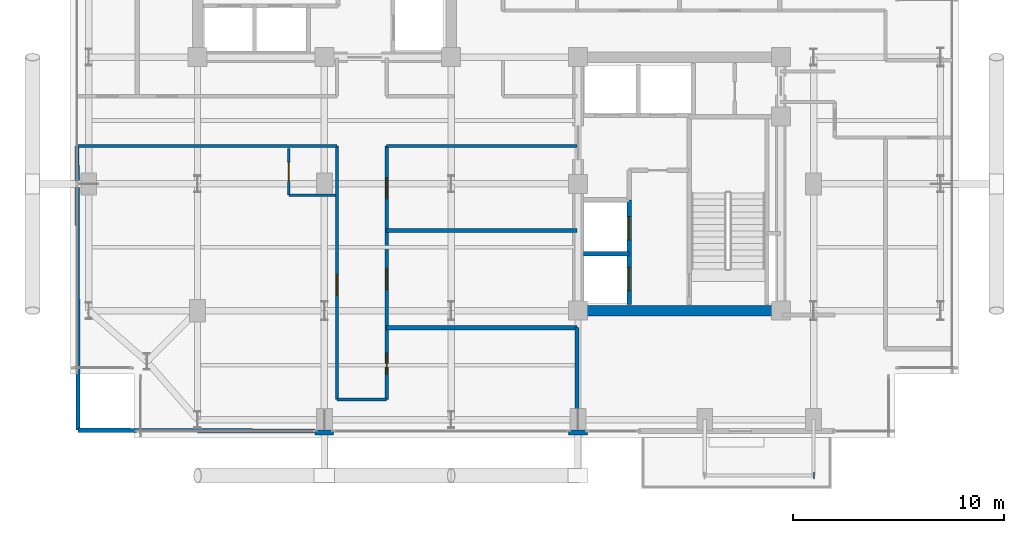
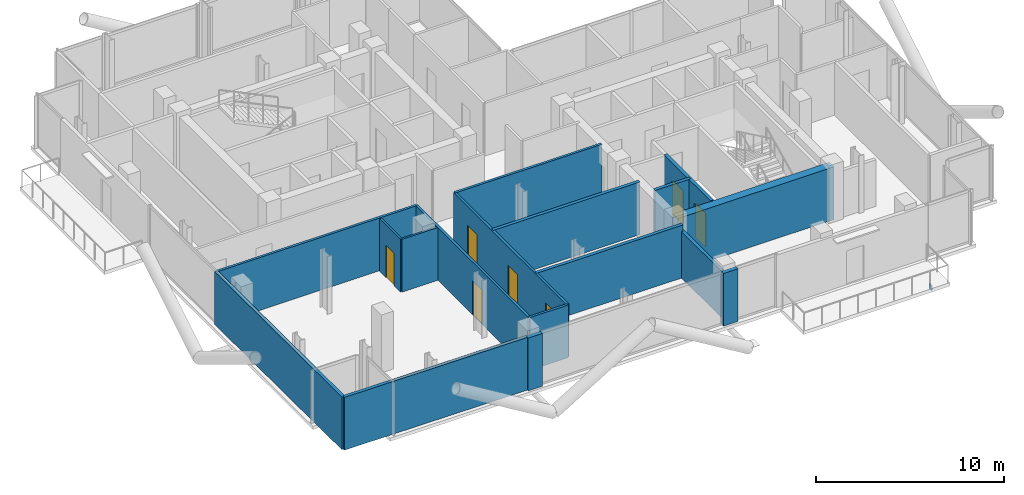
# One storey, part 19 of 25: 17 walls, 7 doors, 1 plate, 7 openings.
"""IFC4 building model written with IfcOpenShell, lengths in metres."""

from ifc_helpers import new_model, si_unit, direction, frame, frame_2d, origin, origin_2d, place, context, subcontext, project, spatial, rectangle, extrude, material, layer, layer_set, type_object, element, fill, save


model = new_model("IFC4")

# Units and contexts
model_context = context("Model", 3, precision=1e-05, world=origin(), true_north=direction((0.0, 1.0)))
body_context = subcontext(model_context, "Body", "Model", "MODEL_VIEW")
ifc_project = project(units=[si_unit("LENGTHUNIT", "METRE"), si_unit("AREAUNIT", "SQUARE_METRE"), si_unit("VOLUMEUNIT", "CUBIC_METRE"), si_unit("PLANEANGLEUNIT", "RADIAN"), si_unit("MASSUNIT", "GRAM", prefix="KILO"), si_unit("THERMODYNAMICTEMPERATUREUNIT", "KELVIN"), si_unit("POWERUNIT", "WATT")], contexts=[model_context])

# Site, building, storey
site_placement = place(None, origin())
site = spatial("IfcSite", under=ifc_project, at=site_placement, CompositionType="ELEMENT")
building_placement = place(site_placement, origin())
building = spatial("IfcBuilding", under=site, at=building_placement, Name="Svarakhadi Broadcast Tower", CompositionType="ELEMENT")
storey_placement = place(building_placement, frame((0.0, 0.0, 231.14990234375)))
storey = spatial("IfcBuildingStorey", under=building, at=storey_placement, Name="L57", CompositionType="ELEMENT", Elevation=231.14990234375)

# Plate
ifc_material_1 = material(Name="Steel S460ML (IS 2062 E450BR)", Category="steel")
ifc_layer_1 = layer(ifc_material_1, 0.028076171875)
ifc_layer_set_1 = layer_set([ifc_layer_1], Name="Steel S460ML (IS 2062 E450BR)")
plate_type = type_object("IfcPlateType", Name="Cap_Plate_CP02", PredefinedType="USERDEFINED", material=ifc_layer_set_1)
plate_placement = place(storey_placement, frame((35.1650390625, -1.800048828125, -0.5048828125), z_axis=(0.0, 0.0, 1.0), x_axis=(1.0, 0.0, 0.0)))
element("IfcPlate", 1, at=plate_placement, inside=storey, type_object=plate_type, Name="L57 Balcony Spandrel End Cap Plate 1F-B", ObjectType="FLANGE_PLATE", PredefinedType="USERDEFINED", context=body_context, shape_type="SweptSolid", body=[
    extrude(rectangle(XDim=0.0400390625, YDim=0.300048828125, at=origin_2d()), origin(), (0.0, 0.0, 1.0), 0.31005859375),
])

# Walls
ifc_material_2 = material(Name="Double-Stud Acoustic Studio Partition STC-62", Category="gypsum")
ifc_layer_2 = layer(ifc_material_2, 0.199951171875)
ifc_layer_set_2 = layer_set([ifc_layer_2], Name="Double-Stud Acoustic Studio Partition STC-62")
wall_type_1 = type_object("IfcWallType", Name="Wall_Acoust_200", PredefinedType="PARTITIONING", material=ifc_layer_set_2)
wall_1_placement = place(storey_placement, frame((0.35009765625, 0.35009765625, 0.0), z_axis=(0.0, 0.0, 1.0), x_axis=(0.999991617913, -0.004094398993, 0.0)))
element("IfcWall", 2, at=wall_1_placement, inside=storey, type_object=wall_type_1, Name="L57 Sunset Corner Hotel Suite Wall", PredefinedType="PARTITIONING", context=body_context, shape_type="SweptSolid", body=[
    extrude(rectangle(XDim=11.2099609375, YDim=0.199951171875, at=frame_2d((5.60498046875, 0.0))), origin(), (0.0, 0.0, 1.0), 3.425048828125),
])
wall_2_placement = place(storey_placement, frame((0.35009765625, 0.35009765625, 0.0), z_axis=(0.0, 0.0, 1.0), x_axis=(-0.003721090209, 0.99999307672, 0.0)))
element("IfcWall", 3, at=wall_2_placement, inside=storey, type_object=wall_type_1, Name="L57 Sunset Corner Hotel Suite Wall", PredefinedType="PARTITIONING", context=body_context, shape_type="SweptSolid", body=[
    extrude(rectangle(XDim=13.449951171875, YDim=0.199951171875, at=frame_2d((6.72509765625, 0.0))), origin(), (0.0, 0.0, 1.0), 3.425048828125),
])
wall_3_placement = place(storey_placement, frame((14.949951171875, 5.199951171875, 0.0), z_axis=(0.0, 0.0, 1.0), x_axis=(1.0, 0.0, 0.0)))
element("IfcWall", 4, at=wall_3_placement, inside=storey, type_object=wall_type_1, Name="L57 Hotel Summit Conference Room A Wall", PredefinedType="PARTITIONING", context=body_context, shape_type="SweptSolid", body=[
    extrude(rectangle(XDim=9.0, YDim=0.199951171875, at=frame_2d((4.5, 0.0))), origin(), (0.0, 0.0, 1.0), 3.425048828125),
])
wall_4_placement = place(storey_placement, frame((23.949951171875, 0.300048828125, 0.0), z_axis=(0.0, 0.0, 1.0), x_axis=(0.0, 1.0, 0.0)))
element("IfcWall", 5, at=wall_4_placement, inside=storey, type_object=wall_type_1, Name="L57 Hotel Summit Conference Room A Wall", PredefinedType="PARTITIONING", context=body_context, shape_type="SweptSolid", body=[
    extrude(rectangle(XDim=4.89990234375, YDim=0.199951171875, at=frame_2d((2.449951171875, 0.0))), origin(), (0.0, 0.0, 1.0), 3.01708984375),
])
wall_5_placement = place(storey_placement, frame((14.949951171875, 9.800048828125, 0.0), z_axis=(0.0, 0.0, 1.0), x_axis=(1.0, 0.0, 0.0)))
element("IfcWall", 6, at=wall_5_placement, inside=storey, type_object=wall_type_1, Name="L57 Hotel Summit Conference Room B Wall", PredefinedType="PARTITIONING", context=body_context, shape_type="SweptSolid", body=[
    extrude(rectangle(XDim=9.0, YDim=0.199951171875, at=frame_2d((4.5, 0.0))), origin(), (0.0, 0.0, 1.0), 3.425048828125),
])
ifc_material_3 = material(Name="Concrete C40/50 (IS 456 M50)", Category="concrete")
ifc_layer_3 = layer(ifc_material_3, 0.239990234375)
ifc_layer_set_3 = layer_set([ifc_layer_3], Name="Concrete C40/50 (IS 456 M50)")
wall_type_2 = type_object("IfcWallType", Name="Wall_Ext_240", PredefinedType="SOLIDWALL", material=ifc_layer_set_3)
for number, where, z_axis, x_axis, name in (
    (7, (24.43994140625, 0.239990234375, 0.0), (0.0, 0.0, 1.0), (-1.0, 0.0, 0.0), "L57 Perimeter Bronze Spandrel Closure Wall 03"),
    (8, (12.43994140625, 0.239990234375, 0.0), (0.0, 0.0, 1.0), (-1.0, 0.0, 0.0), "L57 Perimeter Bronze Spandrel Closure Wall 04"),
):
    element("IfcWall", number, at=place(storey_placement, frame(where, z_axis=z_axis, x_axis=x_axis)), inside=storey, type_object=wall_type_2, Name=name, PredefinedType="SOLIDWALL", context=body_context, shape_type="SweptSolid", body=[
        extrude(rectangle(XDim=0.8798828125, YDim=0.239990234375, at=frame_2d((0.43994140625, 0.0))), origin(), (0.0, 0.0, 1.0), 3.425048828125),
    ])
ifc_material_4 = material(Name="Fire-Rated Moisture-Resistant Gypsum Board Partition", Category="gypsum")
ifc_layer_4 = layer(ifc_material_4, 0.125)
ifc_layer_set_4 = layer_set([ifc_layer_4], Name="Fire-Rated Moisture-Resistant Gypsum Board Partition")
wall_type_3 = type_object("IfcWallType", Name="Wall_Part_125", PredefinedType="PARTITIONING", material=ifc_layer_set_4)
wall_6_placement = place(storey_placement, frame((10.320068359375, 11.469970703125, 0.0), z_axis=(0.0, 0.0, 1.0), x_axis=(1.0, 0.0, 0.0)))
element("IfcWall", 9, at=wall_6_placement, inside=storey, type_object=wall_type_3, Name="L57 Sunset Corner Hotel Suite En-Suite Wall", PredefinedType="PARTITIONING", context=body_context, shape_type="SweptSolid", body=[
    extrude(rectangle(XDim=2.199951171875, YDim=0.125, at=frame_2d((1.10009765625, 0.0))), origin(), (0.0, 0.0, 1.0), 3.425048828125),
])

# Wall, opening, door
wall_7_placement = place(storey_placement, frame((10.320068359375, 11.469970703125, 0.0), z_axis=(0.0, 0.0, 1.0), x_axis=(0.0, 1.0, 0.0)))
wall_7 = element("IfcWall", 10, at=wall_7_placement, inside=storey, type_object=wall_type_3, Name="L57 Sunset Corner Hotel Suite En-Suite Wall", PredefinedType="PARTITIONING", context=body_context, shape_type="SweptSolid", body=[
    extrude(rectangle(XDim=2.199951171875, YDim=0.125, at=frame_2d((1.10009765625, 0.0))), origin(), (0.0, 0.0, 1.0), 3.425048828125),
])
opening_1_placement = place(wall_7_placement, frame((0.64990234375, 0.0, 0.0)))
opening_1 = element("IfcOpeningElement", 11, at=opening_1_placement, cuts=wall_7, Name="Opening D-12", PredefinedType="OPENING", context=body_context, shape_type="SweptSolid", body=[
    extrude(rectangle(XDim=0.89990234375, YDim=2.10009765625, at=frame_2d((0.449951171875, 1.050048828125))), frame((0.0, 0.072509765625, 0.0), z_axis=(0.0, -1.0, 0.0), x_axis=(1.0, 0.0, 0.0)), (0.0, 0.0, 1.0), 0.14501953125),
])
ifc_material_5 = material(Name="Solid-Core Teak Veneer Acoustic Timber Leaf", Category="wood")
door_type_1 = type_object("IfcDoorType", Name="Door_WC_D01", OperationType="SINGLE_SWING_LEFT", PredefinedType="DOOR", material=ifc_material_5)
door_1_placement = place(opening_1_placement, origin())
door_1 = element("IfcDoor", 12, at=door_1_placement, inside=storey, type_object=door_type_1, Name="L57 Sunset Corner Hotel Suite En-Suite Door", OperationType="SINGLE_SWING_LEFT", OverallHeight=2.10009765625, OverallWidth=0.89990234375, PredefinedType="DOOR", context=body_context, shape_type="SweptSolid", body=[
    extrude(rectangle(XDim=0.89990234375, YDim=2.10009765625, at=frame_2d((0.449951171875, 1.050048828125))), frame((0.0, 0.02490234375, 0.0), z_axis=(0.0, -1.0, 0.0), x_axis=(1.0, 0.0, 0.0)), (0.0, 0.0, 1.0), 0.050048828125),
])
fill(opening_1, door_1)

# Walls
ifc_material_6 = material(Name="Autoclaved Aerated Concrete Blockwork 150 mm", Category="masonry")
ifc_layer_5 = layer(ifc_material_6, 0.14990234375)
ifc_layer_set_5 = layer_set([ifc_layer_5], Name="Autoclaved Aerated Concrete Blockwork 150 mm")
wall_type_4 = type_object("IfcWallType", Name="Wall_Part_150", PredefinedType="PARTITIONING", material=ifc_layer_set_5)
wall_8_placement = place(storey_placement, frame((12.60009765625, 13.800048828125, 0.0), z_axis=(0.0, 0.0, 1.0), x_axis=(-1.0, 0.0, 0.0)))
element("IfcWall", 13, at=wall_8_placement, inside=storey, type_object=wall_type_4, Name="L57 Upper Tower Concourse Wall", PredefinedType="PARTITIONING", context=body_context, shape_type="SweptSolid", body=[
    extrude(rectangle(XDim=12.300048828125, YDim=0.14990234375, at=frame_2d((6.14990234375, 0.0))), origin(), (0.0, 0.0, 1.0), 3.425048828125),
])
wall_9_placement = place(storey_placement, frame((23.949951171875, 13.800048828125, 0.0), z_axis=(0.0, 0.0, 1.0), x_axis=(-1.0, 0.0, 0.0)))
element("IfcWall", 14, at=wall_9_placement, inside=storey, type_object=wall_type_4, Name="L57 Upper Tower Concourse Wall", PredefinedType="PARTITIONING", context=body_context, shape_type="SweptSolid", body=[
    extrude(rectangle(XDim=9.0, YDim=0.14990234375, at=frame_2d((4.5, 0.0))), origin(), (0.0, 0.0, 1.0), 3.425048828125),
])

# Wall, openings, doors
wall_10_placement = place(storey_placement, frame((14.949951171875, 13.800048828125, 0.0), z_axis=(0.0, 0.0, 1.0), x_axis=(0.0, -1.0, 0.0)))
wall_10 = element("IfcWall", 15, at=wall_10_placement, inside=storey, type_object=wall_type_4, Name="L57 Upper Tower Concourse Wall", PredefinedType="PARTITIONING", context=body_context, shape_type="SweptSolid", body=[
    extrude(rectangle(XDim=12.0, YDim=0.14990234375, at=frame_2d((6.0, 0.0))), origin(), (0.0, 0.0, 1.0), 3.425048828125),
])
opening_2_placement = place(wall_10_placement, frame((9.800048828125, 0.0, 0.0)))
opening_2 = element("IfcOpeningElement", 16, at=opening_2_placement, cuts=wall_10, Name="Opening D-08", PredefinedType="OPENING", context=body_context, shape_type="SweptSolid", body=[
    extrude(rectangle(XDim=1.0, YDim=2.199951171875, at=frame_2d((0.5, 1.10009765625))), frame((0.0, 0.0849609375, 0.0), z_axis=(0.0, -1.0, 0.0), x_axis=(1.0, 0.0, 0.0)), (0.0, 0.0, 1.0), 0.169921875),
])
opening_3_placement = place(wall_10_placement, frame((5.800048828125, 0.0, 0.0)))
opening_3 = element("IfcOpeningElement", 17, at=opening_3_placement, cuts=wall_10, Name="Opening D-09", PredefinedType="OPENING", context=body_context, shape_type="SweptSolid", body=[
    extrude(rectangle(XDim=1.0, YDim=2.199951171875, at=frame_2d((0.5, 1.10009765625))), frame((0.0, 0.0849609375, 0.0), z_axis=(0.0, -1.0, 0.0), x_axis=(1.0, 0.0, 0.0)), (0.0, 0.0, 1.0), 0.169921875),
])
opening_4_placement = place(wall_10_placement, frame((1.5, 0.0, 0.0)))
opening_4 = element("IfcOpeningElement", 18, at=opening_4_placement, cuts=wall_10, Name="Opening D-08", PredefinedType="OPENING", context=body_context, shape_type="SweptSolid", body=[
    extrude(rectangle(XDim=1.0, YDim=2.199951171875, at=frame_2d((0.5, 1.10009765625))), frame((0.0, 0.0849609375, 0.0), z_axis=(0.0, -1.0, 0.0), x_axis=(1.0, 0.0, 0.0)), (0.0, 0.0, 1.0), 0.169921875),
])
door_type_2 = type_object("IfcDoorType", Name="Door_Suite_D08", OperationType="SINGLE_SWING_LEFT", PredefinedType="DOOR", material=ifc_material_5)
door_2_placement = place(opening_2_placement, origin())
door_2 = element("IfcDoor", 19, at=door_2_placement, inside=storey, type_object=door_type_2, Name="L57 Hotel Summit Conference Room A Door", OperationType="SINGLE_SWING_LEFT", OverallHeight=2.199951171875, OverallWidth=1.0, PredefinedType="DOOR", context=body_context, shape_type="SweptSolid", body=[
    extrude(rectangle(XDim=1.0, YDim=2.199951171875, at=frame_2d((0.5, 1.10009765625))), frame((0.0, 0.02490234375, 0.0), z_axis=(0.0, -1.0, 0.0), x_axis=(1.0, 0.0, 0.0)), (0.0, 0.0, 1.0), 0.050048828125),
])
fill(opening_2, door_2)
door_3_placement = place(opening_4_placement, origin())
door_3 = element("IfcDoor", 20, at=door_3_placement, inside=storey, type_object=door_type_2, Name="L57 Hospitality Business Centre Office Door", OperationType="SINGLE_SWING_LEFT", OverallHeight=2.199951171875, OverallWidth=1.0, PredefinedType="DOOR", context=body_context, shape_type="SweptSolid", body=[
    extrude(rectangle(XDim=1.0, YDim=2.199951171875, at=frame_2d((0.5, 1.10009765625))), frame((0.0, 0.02490234375, 0.0), z_axis=(0.0, -1.0, 0.0), x_axis=(1.0, 0.0, 0.0)), (0.0, 0.0, 1.0), 0.050048828125),
])
fill(opening_4, door_3)
door_type_3 = type_object("IfcDoorType", Name="Door_Suite_D09", OperationType="SINGLE_SWING_RIGHT", PredefinedType="DOOR", material=ifc_material_5)
door_4_placement = place(opening_3_placement, origin())
door_4 = element("IfcDoor", 21, at=door_4_placement, inside=storey, type_object=door_type_3, Name="L57 Hotel Summit Conference Room B Door", OperationType="SINGLE_SWING_RIGHT", OverallHeight=2.199951171875, OverallWidth=1.0, PredefinedType="DOOR", context=body_context, shape_type="SweptSolid", body=[
    extrude(rectangle(XDim=1.0, YDim=2.199951171875, at=frame_2d((0.5, 1.10009765625))), frame((0.0, 0.02490234375, 0.0), z_axis=(0.0, -1.0, 0.0), x_axis=(1.0, 0.0, 0.0)), (0.0, 0.0, 1.0), 0.050048828125),
])
fill(opening_3, door_4)

# Wall
wall_11_placement = place(storey_placement, frame((14.949951171875, 1.800048828125, 0.0), z_axis=(0.0, 0.0, 1.0), x_axis=(-1.0, 0.0, 0.0)))
element("IfcWall", 22, at=wall_11_placement, inside=storey, type_object=wall_type_4, Name="L57 Upper Tower Concourse Wall", PredefinedType="PARTITIONING", context=body_context, shape_type="SweptSolid", body=[
    extrude(rectangle(XDim=2.349853515625, YDim=0.14990234375, at=frame_2d((1.1748046875, 0.0))), origin(), (0.0, 0.0, 1.0), 3.425048828125),
])

# Wall, opening, door
wall_12_placement = place(storey_placement, frame((12.60009765625, 1.800048828125, 0.0), z_axis=(0.0, 0.0, 1.0), x_axis=(0.0, 1.0, 0.0)))
wall_12 = element("IfcWall", 23, at=wall_12_placement, inside=storey, type_object=wall_type_4, Name="L57 Upper Tower Concourse Wall", PredefinedType="PARTITIONING", context=body_context, shape_type="SweptSolid", body=[
    extrude(rectangle(XDim=12.0, YDim=0.14990234375, at=frame_2d((6.0, 0.0))), origin(), (0.0, 0.0, 1.0), 3.425048828125),
])
opening_5_placement = place(wall_12_placement, frame((4.925048828125, 0.0, 0.0)))
opening_5 = element("IfcOpeningElement", 24, at=opening_5_placement, cuts=wall_12, Name="Opening D-09", PredefinedType="OPENING", context=body_context, shape_type="SweptSolid", body=[
    extrude(rectangle(XDim=1.0, YDim=2.199951171875, at=frame_2d((0.5, 1.10009765625))), frame((0.0, 0.0849609375, 0.0), z_axis=(0.0, -1.0, 0.0), x_axis=(1.0, 0.0, 0.0)), (0.0, 0.0, 1.0), 0.169921875),
])
door_5_placement = place(opening_5_placement, origin())
door_5 = element("IfcDoor", 25, at=door_5_placement, inside=storey, type_object=door_type_3, Name="L57 Sunset Corner Hotel Suite Entrance Door", OperationType="SINGLE_SWING_RIGHT", OverallHeight=2.199951171875, OverallWidth=1.0, PredefinedType="DOOR", context=body_context, shape_type="SweptSolid", body=[
    extrude(rectangle(XDim=1.0, YDim=2.199951171875, at=frame_2d((0.5, 1.10009765625))), frame((0.0, 0.02490234375, 0.0), z_axis=(0.0, -1.0, 0.0), x_axis=(1.0, 0.0, 0.0)), (0.0, 0.0, 1.0), 0.050048828125),
])
fill(opening_5, door_5)

# Wall, openings, doors
ifc_material_7 = material(Name="Concrete C50/60 (IS 456 M60)", Category="concrete")
ifc_layer_6 = layer(ifc_material_7, 0.199951171875)
ifc_layer_set_6 = layer_set([ifc_layer_6], Name="Concrete C50/60 (IS 456 M60)")
wall_type_5 = type_object("IfcWallType", Name="Wall_Shear_200", PredefinedType="SHEAR", material=ifc_layer_set_6)
wall_13_placement = place(storey_placement, frame((26.419921875, 6.300048828125, 0.0), z_axis=(0.0, 0.0, 1.0), x_axis=(0.0, 1.0, 0.0)))
wall_13 = element("IfcWall", 26, at=wall_13_placement, inside=storey, type_object=wall_type_5, Name="L57 Firefighting Lift LF-03/04 Shaft Wall", PredefinedType="SHEAR", context=body_context, shape_type="SweptSolid", body=[
    extrude(rectangle(XDim=4.949951171875, YDim=0.199951171875, at=frame_2d((2.47509765625, 0.0))), origin(), (0.0, 0.0, 1.0), 3.425048828125),
])
opening_6_placement = place(wall_13_placement, frame((0.64990234375, 0.0, 0.0)))
opening_6 = element("IfcOpeningElement", 27, at=opening_6_placement, cuts=wall_13, Name="Opening LD-01", PredefinedType="OPENING", context=body_context, shape_type="SweptSolid", body=[
    extrude(rectangle(XDim=1.10009765625, YDim=2.199951171875, at=frame_2d((0.550048828125, 1.10009765625))), frame((0.0, 0.10986328125, 0.0), z_axis=(0.0, -1.0, 0.0), x_axis=(1.0, 0.0, 0.0)), (0.0, 0.0, 1.0), 0.219970703125),
])
opening_7_placement = place(wall_13_placement, frame((3.050048828125, 0.0, 0.0)))
opening_7 = element("IfcOpeningElement", 28, at=opening_7_placement, cuts=wall_13, Name="Opening LD-01", PredefinedType="OPENING", context=body_context, shape_type="SweptSolid", body=[
    extrude(rectangle(XDim=1.10009765625, YDim=2.199951171875, at=frame_2d((0.550048828125, 1.10009765625))), frame((0.0, 0.10986328125, 0.0), z_axis=(0.0, -1.0, 0.0), x_axis=(1.0, 0.0, 0.0)), (0.0, 0.0, 1.0), 0.219970703125),
])
ifc_material_8 = material(Name="Galvanised Powder-Coated Fire-Rated Steel Leaf", Category="steel")
door_type_4 = type_object("IfcDoorType", Name="Door_Lift_LD01", OperationType="SLIDING_TO_LEFT", PredefinedType="DOOR", material=ifc_material_8)
door_6_placement = place(opening_6_placement, origin())
door_6 = element("IfcDoor", 29, at=door_6_placement, inside=storey, type_object=door_type_4, Name="L57 Firefighting Lift LF-03 Landing Door", OperationType="SLIDING_TO_LEFT", OverallHeight=2.199951171875, OverallWidth=1.10009765625, PredefinedType="DOOR", context=body_context, shape_type="SweptSolid", body=[
    extrude(rectangle(XDim=1.10009765625, YDim=2.199951171875, at=frame_2d((0.550048828125, 1.10009765625))), frame((0.0, 0.02490234375, 0.0), z_axis=(0.0, -1.0, 0.0), x_axis=(1.0, 0.0, 0.0)), (0.0, 0.0, 1.0), 0.050048828125),
])
fill(opening_6, door_6)
door_7_placement = place(opening_7_placement, origin())
door_7 = element("IfcDoor", 30, at=door_7_placement, inside=storey, type_object=door_type_4, Name="L57 Firefighting Lift LF-04 Landing Door", OperationType="SLIDING_TO_LEFT", OverallHeight=2.199951171875, OverallWidth=1.10009765625, PredefinedType="DOOR", context=body_context, shape_type="SweptSolid", body=[
    extrude(rectangle(XDim=1.10009765625, YDim=2.199951171875, at=frame_2d((0.550048828125, 1.10009765625))), frame((0.0, 0.02490234375, 0.0), z_axis=(0.0, -1.0, 0.0), x_axis=(1.0, 0.0, 0.0)), (0.0, 0.0, 1.0), 0.050048828125),
])
fill(opening_7, door_7)

# Walls
wall_14_placement = place(storey_placement, frame((24.25, 8.699951171875, 0.0), z_axis=(0.0, 0.0, 1.0), x_axis=(1.0, 0.0, 0.0)))
element("IfcWall", 31, at=wall_14_placement, inside=storey, type_object=wall_type_5, Name="L57 Firefighting Lift LF-03/04 Divider Wall", PredefinedType="SHEAR", context=body_context, shape_type="SweptSolid", body=[
    extrude(rectangle(XDim=2.169921875, YDim=0.199951171875, at=frame_2d((1.0849609375, 0.0))), origin(), (0.0, 0.0, 1.0), 3.425048828125),
])
ifc_layer_7 = layer(ifc_material_7, 0.5)
ifc_layer_set_7 = layer_set([ifc_layer_7], Name="Concrete C50/60 (IS 456 M60)")
wall_type_6 = type_object("IfcWallType", Name="Wall_Shear_500", PredefinedType="SHEAR", material=ifc_layer_set_7)
wall_15_placement = place(storey_placement, frame((24.0, 6.0, 0.0), z_axis=(0.0, 0.0, 1.0), x_axis=(1.0, 0.0, 0.0)))
element("IfcWall", 32, at=wall_15_placement, inside=storey, type_object=wall_type_6, Name="L57 East Core South Shear Wall", PredefinedType="SHEAR", context=body_context, shape_type="SweptSolid", body=[
    extrude(rectangle(XDim=9.60009765625, YDim=0.5, at=frame_2d((4.800048828125, 0.0))), origin(), (0.0, 0.0, 1.0), 3.425048828125),
])

save(model, "model.ifc")
